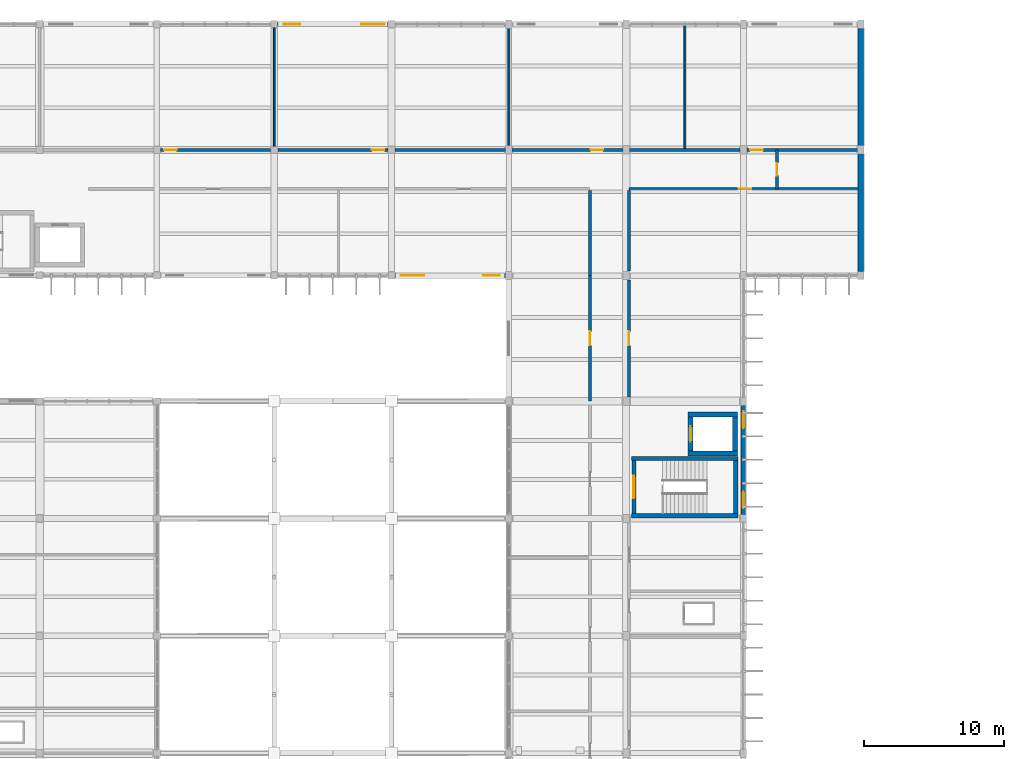
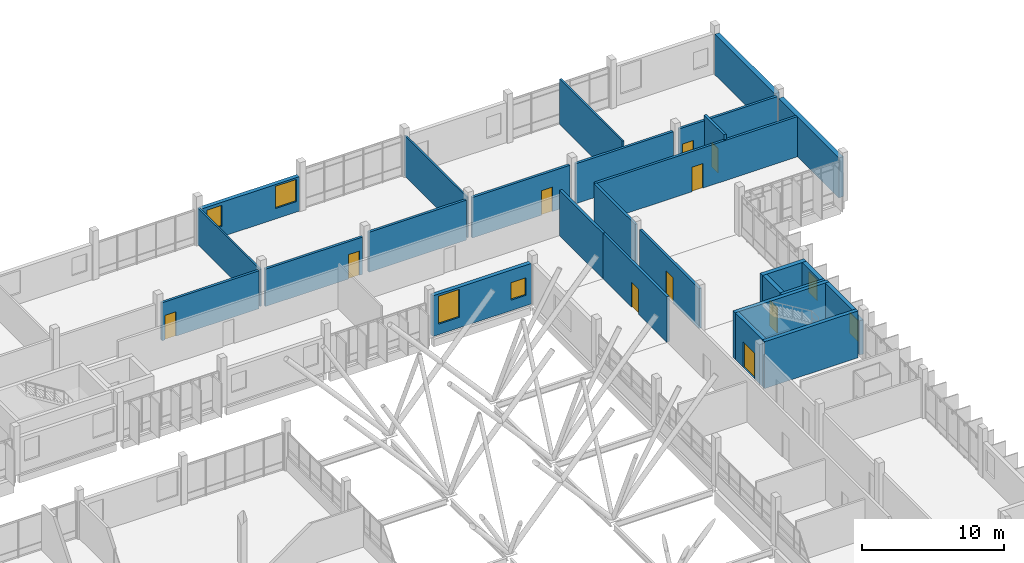
# One storey, part 96 of 107: 28 walls, 10 doors, 6 windows, 16 openings.
"""IFC4 building model written with IfcOpenShell, lengths in metres."""

import ifcopenshell
import ifcopenshell.guid

model = None  # the IFC model being written
_history = None  # IfcOwnerHistory: only IFC2X3 demands one
_inside = {}  # id of a spatial element -> (the spatial element, [elements in it])
_under = {}  # id of a project, library or spatial element -> (it, [spatial elements below it])
_declared = {}  # id of a project -> (the project, [libraries it declares])
_typed = {}  # id of a type object -> (the type object, [elements of that type])
_made_of = {}  # id of a material, layer set ... -> (it, [elements and type objects made of it])


def new_model(schema):
    """Start an empty IFC model of exactly this schema.

    Asked for "IFC4X3", IfcOpenShell would pick the latest addendum, in which some entities
    have other attributes; the version numbers below select the first issue.
    IFC2X3 requires an IfcOwnerHistory on every rooted entity: one is made here for all.
    """
    global model, _history
    if schema == "IFC4X3":
        model = ifcopenshell.file(schema_version=(4, 3, 0, 0))
    else:
        model = ifcopenshell.file(schema=schema)
    _inside.clear()
    _under.clear()
    _declared.clear()
    _typed.clear()
    _made_of.clear()
    _history = None
    if model.schema == "IFC2X3":
        org = make("IfcOrganization", Name="unknown")
        user = make(
            "IfcPersonAndOrganization",
            ThePerson=make("IfcPerson", FamilyName="unknown"),
            TheOrganization=org,
        )
        app = make(
            "IfcApplication",
            ApplicationDeveloper=org,
            Version="unknown",
            ApplicationFullName="unknown",
            ApplicationIdentifier="unknown",
        )
        _history = make(
            "IfcOwnerHistory",
            OwningUser=user,
            OwningApplication=app,
            ChangeAction="ADDED",
            CreationDate=0,
        )
    return model


def make(cls, **values):
    """One entity of the class cls with the attributes given. An attribute that is None is left unset."""
    return model.create_entity(
        cls, **{name: value for name, value in values.items() if value is not None}
    )


def rooted(cls, **values):
    """An entity with a GlobalId (a new one), such as an element, a storey or a relation."""
    return make(cls, GlobalId=ifcopenshell.guid.new(), OwnerHistory=_history, **values)


def si_unit(unit_type, name, prefix=None):
    """IfcSIUnit, for example si_unit("LENGTHUNIT", "METRE", prefix="MILLI")."""
    return make("IfcSIUnit", UnitType=unit_type, Prefix=prefix, Name=name)


def assignment(units):
    """IfcUnitAssignment: the units of a project."""
    return None if units is None else make("IfcUnitAssignment", Units=units)


def point(xyz):
    """IfcCartesianPoint."""
    return None if xyz is None else make("IfcCartesianPoint", Coordinates=xyz)


def direction(xyz):
    """IfcDirection."""
    return None if xyz is None else make("IfcDirection", DirectionRatios=xyz)


def frame(location, z_axis=None, x_axis=None):
    """IfcAxis2Placement3D, a coordinate frame: its origin and axes. An axis left out is left unset."""
    return make(
        "IfcAxis2Placement3D",
        Location=point(location),
        Axis=direction(z_axis),
        RefDirection=direction(x_axis),
    )


def frame_2d(location, x_axis=None):
    """IfcAxis2Placement2D, a coordinate frame in the plane: its origin and x axis."""
    return make(
        "IfcAxis2Placement2D", Location=point(location), RefDirection=direction(x_axis)
    )


def origin():
    """The frame at (0, 0, 0) with its axes left unset."""
    return frame((0.0, 0.0, 0.0))


def place(relative_to, where):
    """IfcLocalPlacement: puts the frame where relative to a parent placement (None: the world)."""
    return make(
        "IfcLocalPlacement", PlacementRelTo=relative_to, RelativePlacement=where
    )


def context(
    kind, dimensions, precision=None, world=None, true_north=None, identifier=None
):
    """IfcGeometricRepresentationContext, for example the 3D "Model" context."""
    return make(
        "IfcGeometricRepresentationContext",
        ContextIdentifier=identifier,
        ContextType=kind,
        CoordinateSpaceDimension=dimensions,
        Precision=precision,
        WorldCoordinateSystem=world,
        TrueNorth=true_north,
    )


def subcontext(parent, identifier, kind, view, scale=None):
    """IfcGeometricRepresentationSubContext, for example "Body" below "Model"."""
    return make(
        "IfcGeometricRepresentationSubContext",
        ContextIdentifier=identifier,
        ContextType=kind,
        ParentContext=parent,
        TargetScale=scale,
        TargetView=view,
    )


def project(units=None, contexts=None):
    """IfcProject with its units and contexts."""
    return rooted(
        "IfcProject",
        Name="project",
        RepresentationContexts=contexts,
        UnitsInContext=assignment(units),
    )


def spatial(cls, under=None, at=None, **own):
    """A site, building, storey or space (cls), placed at a placement, below another one or the project."""
    s = rooted(cls, ObjectPlacement=at, **own)
    if under is not None:
        _under.setdefault(under.id(), (under, []))[1].append(s)
    return s


def profile(cls, at=None, kind="AREA", **sizes):
    """A parametric profile (cls). Its sizes go by their IFC names, for example OverallWidth=200.0."""
    return make(cls, ProfileType=kind, Position=at, **sizes)


def rectangle(**sizes):
    """IfcRectangleProfileDef."""
    return profile("IfcRectangleProfileDef", **sizes)


def extrude(swept, where, along, depth):
    """IfcExtrudedAreaSolid: the profile swept, set in the frame where, extruded along a direction by depth."""
    return make(
        "IfcExtrudedAreaSolid",
        SweptArea=swept,
        Position=where,
        ExtrudedDirection=direction(along),
        Depth=depth,
    )


def shape(context_of_items, identifier, shape_type, items):
    """IfcShapeRepresentation: the items that make up one representation, for example the "Body"."""
    return make(
        "IfcShapeRepresentation",
        ContextOfItems=context_of_items,
        RepresentationIdentifier=identifier,
        RepresentationType=shape_type,
        Items=items,
    )


def material(Name=None, Category=None):
    """IfcMaterial."""
    return make("IfcMaterial", Name=Name, Category=Category)


def layer(
    of_material, thickness, ventilated=None, Name=None, Category=None, Priority=None
):
    """IfcMaterialLayer: one layer of a wall or slab, of a material (None: an air gap)."""
    return make(
        "IfcMaterialLayer",
        Material=of_material,
        LayerThickness=thickness,
        IsVentilated=ventilated,
        Name=Name,
        Category=Category,
        Priority=Priority,
    )


def layer_set(layers, Name=None):
    """IfcMaterialLayerSet."""
    return make("IfcMaterialLayerSet", MaterialLayers=layers, LayerSetName=Name)


def made_of(thing, what):
    """Note that an element or type object is made of a material, layer set ...; save() writes the relation."""
    if what is not None:
        _made_of.setdefault(what.id(), (what, []))[1].append(thing)
    return thing


def type_object(cls, material=None, **own):
    """A type object (cls), such as IfcWallType, which elements share."""
    return made_of(rooted(cls, **own), material)


def element(
    cls,
    number,
    at=None,
    inside=None,
    cuts=None,
    type_object=None,
    material=None,
    context=None,
    identifier="Body",
    shape_type=None,
    held_by="IfcProductDefinitionShape",
    body=None,
    shapes=None,
    **own,
):
    """One element of the class cls, such as IfcWall. Its Tag is "e" and its number.

    at: its placement. inside: the storey or other place that contains it. cuts: it is an
    opening in that element (IfcRelVoidsElement). A single representation is given by context,
    identifier, shape_type and body (its items); several are given by shapes. held_by: the class
    of the entity that holds the representations. save() writes the other relations.
    """
    e = rooted(cls, Tag="e%d" % number, ObjectPlacement=at, **own)
    if body is not None:
        shapes = [shape(context, identifier, shape_type, body)]
    if shapes is not None:
        e.Representation = make(held_by, Representations=shapes)
    if inside is not None:
        _inside.setdefault(inside.id(), (inside, []))[1].append(e)
    if cuts is not None:
        rooted(
            "IfcRelVoidsElement", RelatingBuildingElement=cuts, RelatedOpeningElement=e
        )
    if type_object is not None:
        _typed.setdefault(type_object.id(), (type_object, []))[1].append(e)
    return made_of(e, material)


def fill(opening, filler):
    """IfcRelFillsElement: the door or window that sits in an opening."""
    return rooted(
        "IfcRelFillsElement",
        RelatingOpeningElement=opening,
        RelatedBuildingElement=filler,
    )


def aggregate(whole, parts):
    """IfcRelAggregates: a whole, such as a stair, and the parts it consists of."""
    return rooted("IfcRelAggregates", RelatingObject=whole, RelatedObjects=parts)


def save(model, path):
    """Write the relations noted so far, then the file.

    IfcRelAggregates (storeys below a building ...), IfcRelContainedInSpatialStructure (elements
    in a storey), IfcRelDefinesByType, IfcRelAssociatesMaterial and IfcRelDeclares: one each for
    every whole, place, type object, material and project.
    """
    for whole, parts in _under.values():
        aggregate(whole, parts)
    for where, things in _inside.values():
        rooted(
            "IfcRelContainedInSpatialStructure",
            RelatedElements=things,
            RelatingStructure=where,
        )
    for kind, things in _typed.values():
        rooted("IfcRelDefinesByType", RelatedObjects=things, RelatingType=kind)
    for what, things in _made_of.values():
        rooted("IfcRelAssociatesMaterial", RelatedObjects=things, RelatingMaterial=what)
    for by, libraries in _declared.values():
        rooted("IfcRelDeclares", RelatingContext=by, RelatedDefinitions=libraries)
    model.write(path)


model = new_model("IFC4")

# Units and contexts
model_context = context("Model", 3, precision=1e-05, world=origin(), true_north=direction((0.0, 1.0)))
body_context = subcontext(model_context, "Body", "Model", "MODEL_VIEW")
ifc_project = project(units=[si_unit("LENGTHUNIT", "METRE"), si_unit("AREAUNIT", "SQUARE_METRE"), si_unit("VOLUMEUNIT", "CUBIC_METRE"), si_unit("PLANEANGLEUNIT", "RADIAN"), si_unit("MASSUNIT", "GRAM", prefix="KILO")], contexts=[model_context])

# Site, building, storey
site_placement = place(None, origin())
site = spatial("IfcSite", under=ifc_project, at=site_placement, CompositionType="ELEMENT")
building_placement = place(site_placement, origin())
building = spatial("IfcBuilding", under=site, at=building_placement, Name="Vireocrest Preparatory School", CompositionType="ELEMENT")
storey_placement = place(building_placement, frame((0.0, 0.0, 13.199951171875)))
storey = spatial("IfcBuildingStorey", under=building, at=storey_placement, Name="L03", CompositionType="ELEMENT", Elevation=13.199951171875)

# Walls
ifc_material_1 = material(Name="Gypsum board on cold-formed steel studs", Category="steel")
ifc_layer_1 = layer(ifc_material_1, 0.139892578125)
ifc_layer_set_1 = layer_set([ifc_layer_1], Name="Gypsum board on cold-formed steel studs")
wall_type_1 = type_object("IfcWallType", Name="Classroom Acoustic Partition Wall 140", PredefinedType="PARTITIONING", material=ifc_layer_set_1)
wall_1_placement = place(storey_placement, frame((75.60009765625, 103.905029296875, 0.0), z_axis=(0.0, 0.0, 1.0), x_axis=(0.0, 1.0, 0.0)))
element("IfcWall", 1, at=wall_1_placement, inside=storey, type_object=wall_type_1, Name="Interior Partition W03 IW_L03_0259", PredefinedType="PARTITIONING", context=body_context, shape_type="SweptSolid", body=[
    extrude(rectangle(XDim=8.7900390625, YDim=0.139892578125, at=frame_2d((4.39501953125, 0.0))), origin(), (0.0, 0.0, 1.0), 3.16015625),
])
wall_2_placement = place(storey_placement, frame((92.39990234375, 103.905029296875, 0.0), z_axis=(0.0, 0.0, 1.0), x_axis=(0.0, 1.0, 0.0)))
element("IfcWall", 2, at=wall_2_placement, inside=storey, type_object=wall_type_1, Name="Interior Partition W03 IW_L03_0260", PredefinedType="PARTITIONING", context=body_context, shape_type="SweptSolid", body=[
    extrude(rectangle(XDim=8.7900390625, YDim=0.139892578125, at=frame_2d((4.39501953125, 0.0))), origin(), (0.0, 0.0, 1.0), 3.47998046875),
])
wall_3_placement = place(storey_placement, frame((105.0, 103.905029296875, 0.0), z_axis=(0.0, 0.0, 1.0), x_axis=(0.0, 1.0, 0.0)))
element("IfcWall", 3, at=wall_3_placement, inside=storey, type_object=wall_type_1, Name="Interior Partition W03 IW_L03_0261", PredefinedType="PARTITIONING", context=body_context, shape_type="SweptSolid", body=[
    extrude(rectangle(XDim=8.7900390625, YDim=0.139892578125, at=frame_2d((4.39501953125, 0.0))), origin(), (0.0, 0.0, 1.0), 3.900146484375),
])

# Wall, opening, door
ifc_layer_2 = layer(ifc_material_1, 0.199951171875)
ifc_layer_set_2 = layer_set([ifc_layer_2], Name="Gypsum board on cold-formed steel studs")
wall_type_2 = type_object("IfcWallType", Name="Corridor One-Hour Fire Partition 200", PredefinedType="PARTITIONING", material=ifc_layer_set_2)
wall_4_placement = place(storey_placement, frame((111.60009765625, 101.010009765625, 0.0), z_axis=(0.0, 0.0, 1.0), x_axis=(0.0, 1.0, 0.0)))
wall_4 = element("IfcWall", 4, at=wall_4_placement, inside=storey, type_object=wall_type_2, Name="Interior Partition W06 IW_L03_0257", PredefinedType="PARTITIONING", context=body_context, shape_type="SweptSolid", body=[
    extrude(rectangle(XDim=2.780029296875, YDim=0.199951171875, at=frame_2d((1.39013671875, 0.0))), origin(), (0.0, 0.0, 1.0), 3.900146484375),
])
opening_1_placement = place(wall_4_placement, frame((0.93994140625, 0.0, 0.0)))
opening_1 = element("IfcOpeningElement", 5, at=opening_1_placement, cuts=wall_4, Name="Opening D-L03-NCEND", PredefinedType="OPENING", context=body_context, shape_type="SweptSolid", body=[
    extrude(rectangle(XDim=0.89990234375, YDim=2.10009765625, at=frame_2d((0.449951171875, 1.050048828125))), frame((0.0, 0.10986328125, 0.0), z_axis=(0.0, -1.0, 0.0), x_axis=(1.0, 0.0, 0.0)), (0.0, 0.0, 1.0), 0.219970703125),
])
ifc_material_2 = material(Name="Solid-core architectural birch timber", Category="wood")
door_type_1 = type_object("IfcDoorType", Name="Office Timber Door 900x2100", OperationType="NOTDEFINED", PredefinedType="DOOR", material=ifc_material_2)
door_1_placement = place(opening_1_placement, origin())
door_1 = element("IfcDoor", 6, at=door_1_placement, inside=storey, type_object=door_type_1, Name="Interior Door D-L03-NCEND", OperationType="SINGLE_SWING_LEFT", OverallHeight=2.10009765625, OverallWidth=0.89990234375, PredefinedType="DOOR", context=body_context, shape_type="SweptSolid", body=[
    extrude(rectangle(XDim=0.89990234375, YDim=2.10009765625, at=frame_2d((0.449951171875, 1.050048828125))), frame((0.0, 0.02490234375, 0.0), z_axis=(0.0, -1.0, 0.0), x_axis=(1.0, 0.0, 0.0)), (0.0, 0.0, 1.0), 0.050048828125),
])
fill(opening_1, door_1)

wall_5_placement = place(storey_placement, frame((67.4599609375, 103.800048828125, 0.0), z_axis=(0.0, 0.0, 1.0), x_axis=(1.0, 0.0, 0.0)))
wall_5 = element("IfcWall", 7, at=wall_5_placement, inside=storey, type_object=wall_type_2, Name="Interior Partition W06 IW_L03_0265", PredefinedType="PARTITIONING", context=body_context, shape_type="SweptSolid", body=[
    extrude(rectangle(XDim=7.880126953125, YDim=0.199951171875, at=frame_2d((3.93994140625, 0.0))), origin(), (0.0, 0.0, 1.0), 3.260009765625),
])
opening_2_placement = place(wall_5_placement, frame((0.25, 0.0, 0.0)))
opening_2 = element("IfcOpeningElement", 8, at=opening_2_placement, cuts=wall_5, Name="Opening D-L03-N3N02", PredefinedType="OPENING", context=body_context, shape_type="SweptSolid", body=[
    extrude(rectangle(XDim=0.89990234375, YDim=2.10009765625, at=frame_2d((0.449951171875, 1.050048828125))), frame((0.0, 0.10986328125, 0.0), z_axis=(0.0, -1.0, 0.0), x_axis=(1.0, 0.0, 0.0)), (0.0, 0.0, 1.0), 0.219970703125),
])
door_2_placement = place(opening_2_placement, origin())
door_2 = element("IfcDoor", 9, at=door_2_placement, inside=storey, type_object=door_type_1, Name="Interior Door D-L03-N3N02", OperationType="SINGLE_SWING_LEFT", OverallHeight=2.10009765625, OverallWidth=0.89990234375, PredefinedType="DOOR", context=body_context, shape_type="SweptSolid", body=[
    extrude(rectangle(XDim=0.89990234375, YDim=2.10009765625, at=frame_2d((0.449951171875, 1.050048828125))), frame((0.0, 0.02490234375, 0.0), z_axis=(0.0, -1.0, 0.0), x_axis=(1.0, 0.0, 0.0)), (0.0, 0.0, 1.0), 0.050048828125),
])
fill(opening_2, door_2)

wall_6_placement = place(storey_placement, frame((75.860107421875, 103.800048828125, 0.0), z_axis=(0.0, 0.0, 1.0), x_axis=(1.0, 0.0, 0.0)))
wall_6 = element("IfcWall", 10, at=wall_6_placement, inside=storey, type_object=wall_type_2, Name="Interior Partition W06 IW_L03_0266", PredefinedType="PARTITIONING", context=body_context, shape_type="SweptSolid", body=[
    extrude(rectangle(XDim=7.8798828125, YDim=0.199951171875, at=frame_2d((3.93994140625, 0.0))), origin(), (0.0, 0.0, 1.0), 3.2099609375),
])
opening_3_placement = place(wall_6_placement, frame((6.72998046875, 0.0, 0.0)))
opening_3 = element("IfcOpeningElement", 11, at=opening_3_placement, cuts=wall_6, Name="Opening D-L03-N3N03", PredefinedType="OPENING", context=body_context, shape_type="SweptSolid", body=[
    extrude(rectangle(XDim=0.89990234375, YDim=2.10009765625, at=frame_2d((0.449951171875, 1.050048828125))), frame((0.0, 0.10986328125, 0.0), z_axis=(0.0, -1.0, 0.0), x_axis=(1.0, 0.0, 0.0)), (0.0, 0.0, 1.0), 0.219970703125),
])
door_3_placement = place(opening_3_placement, origin())
door_3 = element("IfcDoor", 12, at=door_3_placement, inside=storey, type_object=door_type_1, Name="Interior Door D-L03-N3N03", OperationType="SINGLE_SWING_RIGHT", OverallHeight=2.10009765625, OverallWidth=0.89990234375, PredefinedType="DOOR", context=body_context, shape_type="SweptSolid", body=[
    extrude(rectangle(XDim=0.89990234375, YDim=2.10009765625, at=frame_2d((0.449951171875, 1.050048828125))), frame((0.0, 0.02490234375, 0.0), z_axis=(0.0, -1.0, 0.0), x_axis=(1.0, 0.0, 0.0)), (0.0, 0.0, 1.0), 0.050048828125),
])
fill(opening_3, door_3)

# Wall
wall_7_placement = place(storey_placement, frame((84.260009765625, 103.800048828125, 0.0), z_axis=(0.0, 0.0, 1.0), x_axis=(1.0, 0.0, 0.0)))
element("IfcWall", 13, at=wall_7_placement, inside=storey, type_object=wall_type_2, Name="Interior Partition W06 IW_L03_0267", PredefinedType="PARTITIONING", context=body_context, shape_type="SweptSolid", body=[
    extrude(rectangle(XDim=7.905029296875, YDim=0.199951171875, at=frame_2d((3.95263671875, 0.0))), origin(), (0.0, 0.0, 1.0), 3.429931640625),
])

# Wall, opening, door
wall_8_placement = place(storey_placement, frame((92.635009765625, 103.800048828125, 0.0), z_axis=(0.0, 0.0, 1.0), x_axis=(1.0, 0.0, 0.0)))
wall_8 = element("IfcWall", 14, at=wall_8_placement, inside=storey, type_object=wall_type_2, Name="Interior Partition W06 IW_L03_0268", PredefinedType="PARTITIONING", context=body_context, shape_type="SweptSolid", body=[
    extrude(rectangle(XDim=7.929931640625, YDim=0.199951171875, at=frame_2d((3.96484375, 0.0))), origin(), (0.0, 0.0, 1.0), 3.47998046875),
])
opening_4_placement = place(wall_8_placement, frame((5.614990234375, 0.0, 0.0)))
opening_4 = element("IfcOpeningElement", 15, at=opening_4_placement, cuts=wall_8, Name="Opening D-L03-N3N04", PredefinedType="OPENING", context=body_context, shape_type="SweptSolid", body=[
    extrude(rectangle(XDim=0.89990234375, YDim=2.10009765625, at=frame_2d((0.449951171875, 1.050048828125))), frame((0.0, 0.10986328125, 0.0), z_axis=(0.0, -1.0, 0.0), x_axis=(1.0, 0.0, 0.0)), (0.0, 0.0, 1.0), 0.219970703125),
])
door_4_placement = place(opening_4_placement, origin())
door_4 = element("IfcDoor", 16, at=door_4_placement, inside=storey, type_object=door_type_1, Name="Interior Door D-L03-N3N04", OperationType="SINGLE_SWING_LEFT", OverallHeight=2.10009765625, OverallWidth=0.89990234375, PredefinedType="DOOR", context=body_context, shape_type="SweptSolid", body=[
    extrude(rectangle(XDim=0.89990234375, YDim=2.10009765625, at=frame_2d((0.449951171875, 1.050048828125))), frame((0.0, 0.02490234375, 0.0), z_axis=(0.0, -1.0, 0.0), x_axis=(1.0, 0.0, 0.0)), (0.0, 0.0, 1.0), 0.050048828125),
])
fill(opening_4, door_4)

# Wall
wall_9_placement = place(storey_placement, frame((101.034912109375, 103.800048828125, 0.0), z_axis=(0.0, 0.0, 1.0), x_axis=(1.0, 0.0, 0.0)))
element("IfcWall", 17, at=wall_9_placement, inside=storey, type_object=wall_type_2, Name="Interior Partition W06 IW_L03_0269", PredefinedType="PARTITIONING", context=body_context, shape_type="SweptSolid", body=[
    extrude(rectangle(XDim=7.93017578125, YDim=0.199951171875, at=frame_2d((3.965087890625, 0.0))), origin(), (0.0, 0.0, 1.0), 3.429931640625),
])

# Wall, opening, door
wall_10_placement = place(storey_placement, frame((109.43505859375, 103.800048828125, 0.0), z_axis=(0.0, 0.0, 1.0), x_axis=(1.0, 0.0, 0.0)))
wall_10 = element("IfcWall", 18, at=wall_10_placement, inside=storey, type_object=wall_type_2, Name="Interior Partition W06 IW_L03_0270", PredefinedType="PARTITIONING", context=body_context, shape_type="SweptSolid", body=[
    extrude(rectangle(XDim=7.969970703125, YDim=0.199951171875, at=frame_2d((3.98486328125, 0.0))), origin(), (0.0, 0.0, 1.0), 3.47998046875),
])
opening_5_placement = place(wall_10_placement, frame((0.25, 0.0, 0.0)))
opening_5 = element("IfcOpeningElement", 19, at=opening_5_placement, cuts=wall_10, Name="Opening D-L03-N3N05", PredefinedType="OPENING", context=body_context, shape_type="SweptSolid", body=[
    extrude(rectangle(XDim=0.89990234375, YDim=2.10009765625, at=frame_2d((0.449951171875, 1.050048828125))), frame((0.0, 0.10986328125, 0.0), z_axis=(0.0, -1.0, 0.0), x_axis=(1.0, 0.0, 0.0)), (0.0, 0.0, 1.0), 0.219970703125),
])
door_5_placement = place(opening_5_placement, origin())
door_5 = element("IfcDoor", 20, at=door_5_placement, inside=storey, type_object=door_type_1, Name="Interior Door D-L03-N3N05", OperationType="SINGLE_SWING_RIGHT", OverallHeight=2.10009765625, OverallWidth=0.89990234375, PredefinedType="DOOR", context=body_context, shape_type="SweptSolid", body=[
    extrude(rectangle(XDim=0.89990234375, YDim=2.10009765625, at=frame_2d((0.449951171875, 1.050048828125))), frame((0.0, 0.02490234375, 0.0), z_axis=(0.0, -1.0, 0.0), x_axis=(1.0, 0.0, 0.0)), (0.0, 0.0, 1.0), 0.050048828125),
])
fill(opening_5, door_5)

# Wall
wall_11_placement = place(storey_placement, frame((98.199951171875, 94.81005859375, 0.0), z_axis=(0.0, 0.0, 1.0), x_axis=(0.0, 1.0, 0.0)))
element("IfcWall", 21, at=wall_11_placement, inside=storey, type_object=wall_type_2, Name="Interior Partition W06 IW_L03_0273", PredefinedType="PARTITIONING", context=body_context, shape_type="SweptSolid", body=[
    extrude(rectangle(XDim=6.0849609375, YDim=0.199951171875, at=frame_2d((3.04248046875, 0.0))), origin(), (0.0, 0.0, 1.0), 3.900146484375),
])

# Wall, opening, door
wall_12_placement = place(storey_placement, frame((101.010009765625, 101.0, 0.0), z_axis=(0.0, 0.0, 1.0), x_axis=(1.0, 0.0, 0.0)))
wall_12 = element("IfcWall", 22, at=wall_12_placement, inside=storey, type_object=wall_type_2, Name="Interior Partition W06 IW_L03_0274", PredefinedType="PARTITIONING", context=body_context, shape_type="SweptSolid", body=[
    extrude(rectangle(XDim=16.39501953125, YDim=0.199951171875, at=frame_2d((8.197509765625, 0.0))), origin(), (0.0, 0.0, 1.0), 3.450927734375),
])
opening_6_placement = place(wall_12_placement, frame((7.840087890625, 0.0, 0.0)))
opening_6 = element("IfcOpeningElement", 23, at=opening_6_placement, cuts=wall_12, Name="Opening D-L03-N3S01", PredefinedType="OPENING", context=body_context, shape_type="SweptSolid", body=[
    extrude(rectangle(XDim=0.89990234375, YDim=2.10009765625, at=frame_2d((0.449951171875, 1.050048828125))), frame((0.0, 0.10986328125, 0.0), z_axis=(0.0, -1.0, 0.0), x_axis=(1.0, 0.0, 0.0)), (0.0, 0.0, 1.0), 0.219970703125),
])
door_6_placement = place(opening_6_placement, origin())
door_6 = element("IfcDoor", 24, at=door_6_placement, inside=storey, type_object=door_type_1, Name="Interior Door D-L03-N3S01", OperationType="SINGLE_SWING_LEFT", OverallHeight=2.10009765625, OverallWidth=0.89990234375, PredefinedType="DOOR", context=body_context, shape_type="SweptSolid", body=[
    extrude(rectangle(XDim=0.89990234375, YDim=2.10009765625, at=frame_2d((0.449951171875, 1.050048828125))), frame((0.0, 0.02490234375, 0.0), z_axis=(0.0, -1.0, 0.0), x_axis=(1.0, 0.0, 0.0)), (0.0, 0.0, 1.0), 0.050048828125),
])
fill(opening_6, door_6)

# Wall
wall_13_placement = place(storey_placement, frame((101.0, 95.110107421875, 0.0), z_axis=(0.0, 0.0, 1.0), x_axis=(0.0, 1.0, 0.0)))
element("IfcWall", 25, at=wall_13_placement, inside=storey, type_object=wall_type_2, Name="Interior Partition W06 IW_L03_0275", PredefinedType="PARTITIONING", context=body_context, shape_type="SweptSolid", body=[
    extrude(rectangle(XDim=5.784912109375, YDim=0.199951171875, at=frame_2d((2.892578125, 0.0))), origin(), (0.0, 0.0, 1.0), 3.47998046875),
])

# Wall, opening, door
wall_14_placement = place(storey_placement, frame((98.199951171875, 85.81005859375, 0.0), z_axis=(0.0, 0.0, 1.0), x_axis=(0.0, 1.0, 0.0)))
wall_14 = element("IfcWall", 26, at=wall_14_placement, inside=storey, type_object=wall_type_2, Name="Interior Partition W06 IW_L03_0276", PredefinedType="PARTITIONING", context=body_context, shape_type="SweptSolid", body=[
    extrude(rectangle(XDim=8.97998046875, YDim=0.199951171875, at=frame_2d((4.489990234375, 0.0))), origin(), (0.0, 0.0, 1.0), 3.900146484375),
])
opening_7_placement = place(wall_14_placement, frame((3.989990234375, 0.0, 0.0)))
opening_7 = element("IfcOpeningElement", 27, at=opening_7_placement, cuts=wall_14, Name="Opening D-L03-E3NLW01", PredefinedType="OPENING", context=body_context, shape_type="SweptSolid", body=[
    extrude(rectangle(XDim=1.0, YDim=2.14990234375, at=frame_2d((0.5, 1.074951171875))), frame((0.0, 0.10986328125, 0.0), z_axis=(0.0, -1.0, 0.0), x_axis=(1.0, 0.0, 0.0)), (0.0, 0.0, 1.0), 0.219970703125),
])
door_type_2 = type_object("IfcDoorType", Name="Classroom Acoustic Timber Door 1000x2150", OperationType="NOTDEFINED", PredefinedType="DOOR", material=ifc_material_2)
door_7_placement = place(opening_7_placement, origin())
door_7 = element("IfcDoor", 28, at=door_7_placement, inside=storey, type_object=door_type_2, Name="Interior Door D-L03-E3NLW01", OperationType="SINGLE_SWING_RIGHT", OverallHeight=2.14990234375, OverallWidth=1.0, PredefinedType="DOOR", context=body_context, shape_type="SweptSolid", body=[
    extrude(rectangle(XDim=1.0, YDim=2.14990234375, at=frame_2d((0.5, 1.074951171875))), frame((0.0, 0.02490234375, 0.0), z_axis=(0.0, -1.0, 0.0), x_axis=(1.0, 0.0, 0.0)), (0.0, 0.0, 1.0), 0.050048828125),
])
fill(opening_7, door_7)

wall_15_placement = place(storey_placement, frame((101.0, 86.110107421875, 0.0), z_axis=(0.0, 0.0, 1.0), x_axis=(0.0, 1.0, 0.0)))
wall_15 = element("IfcWall", 29, at=wall_15_placement, inside=storey, type_object=wall_type_2, Name="Interior Partition W06 IW_L03_0277", PredefinedType="PARTITIONING", context=body_context, shape_type="SweptSolid", body=[
    extrude(rectangle(XDim=8.3798828125, YDim=0.199951171875, at=frame_2d((4.18994140625, 0.0))), origin(), (0.0, 0.0, 1.0), 3.429931640625),
])
opening_8_placement = place(wall_15_placement, frame((3.68994140625, 0.0, 0.0)))
opening_8 = element("IfcOpeningElement", 30, at=opening_8_placement, cuts=wall_15, Name="Opening D-L03-E3NLE01", PredefinedType="OPENING", context=body_context, shape_type="SweptSolid", body=[
    extrude(rectangle(XDim=1.0, YDim=2.14990234375, at=frame_2d((0.5, 1.074951171875))), frame((0.0, 0.10986328125, 0.0), z_axis=(0.0, -1.0, 0.0), x_axis=(1.0, 0.0, 0.0)), (0.0, 0.0, 1.0), 0.219970703125),
])
door_8_placement = place(opening_8_placement, origin())
door_8 = element("IfcDoor", 31, at=door_8_placement, inside=storey, type_object=door_type_2, Name="Interior Door D-L03-E3NLE01", OperationType="SINGLE_SWING_LEFT", OverallHeight=2.14990234375, OverallWidth=1.0, PredefinedType="DOOR", context=body_context, shape_type="SweptSolid", body=[
    extrude(rectangle(XDim=1.0, YDim=2.14990234375, at=frame_2d((0.5, 1.074951171875))), frame((0.0, 0.02490234375, 0.0), z_axis=(0.0, -1.0, 0.0), x_axis=(1.0, 0.0, 0.0)), (0.0, 0.0, 1.0), 0.050048828125),
])
fill(opening_8, door_8)

# Wall, openings, windows
ifc_material_3 = material(Name="Precast white concrete 40 MPa", Category="concrete")
ifc_layer_3 = layer(ifc_material_3, 0.320068359375)
ifc_layer_set_3 = layer_set([ifc_layer_3], Name="Precast white concrete 40 MPa")
wall_type_3 = type_object("IfcWallType", Name="High-Tech Insulated Rainscreen External Wall 320", PredefinedType="SOLIDWALL", material=ifc_layer_set_3)
wall_16_placement = place(storey_placement, frame((75.824951171875, 112.800048828125, 0.0), z_axis=(0.0, 0.0, 1.0), x_axis=(1.0, 0.0, 0.0)))
wall_16 = element("IfcWall", 32, at=wall_16_placement, inside=storey, type_object=wall_type_3, Name="External Wall W12 EW_L03_0327", PredefinedType="SOLIDWALL", context=body_context, shape_type="SweptSolid", body=[
    extrude(rectangle(XDim=7.949951171875, YDim=0.320068359375, at=frame_2d((3.97509765625, 0.0))), origin(), (0.0, 0.0, 1.0), 2.9599609375),
])
opening_9_placement = place(wall_16_placement, frame((0.449951171875, 0.0, 0.89990234375)))
opening_9 = element("IfcOpeningElement", 33, at=opening_9_placement, cuts=wall_16, Name="Opening WN02", PredefinedType="OPENING", context=body_context, shape_type="SweptSolid", body=[
    extrude(rectangle(XDim=1.199951171875, YDim=1.800048828125, at=frame_2d((0.60009765625, 0.89990234375))), frame((0.0, 0.169921875, 0.0), z_axis=(0.0, -1.0, 0.0), x_axis=(1.0, 0.0, 0.0)), (0.0, 0.0, 1.0), 0.340087890625),
])
opening_10_placement = place(wall_16_placement, frame((6.02001953125, 0.0, 0.89990234375)))
opening_10 = element("IfcOpeningElement", 34, at=opening_10_placement, cuts=wall_16, Name="Opening WN07", PredefinedType="OPENING", context=body_context, shape_type="SweptSolid", body=[
    extrude(rectangle(XDim=1.679931640625, YDim=1.909912109375, at=frame_2d((0.83984375, 0.955078125))), frame((0.0, 0.169921875, 0.0), z_axis=(0.0, -1.0, 0.0), x_axis=(1.0, 0.0, 0.0)), (0.0, 0.0, 1.0), 0.340087890625),
])
ifc_material_4 = material(Name="Thermally broken aluminium EN AW-6063-T6", Category="aluminium")
window_type_1 = type_object("IfcWindowType", Name="Counseling Window 1200x1800", PartitioningType="SINGLE_PANEL", PredefinedType="WINDOW", material=ifc_material_4)
window_1_placement = place(opening_9_placement, origin())
window_1 = element("IfcWindow", 35, at=window_1_placement, inside=storey, type_object=window_type_1, Name="Window W-L03-160 (WN02)", OverallHeight=1.800048828125, OverallWidth=1.199951171875, PartitioningType="SINGLE_PANEL", PredefinedType="WINDOW", context=body_context, shape_type="SweptSolid", body=[
    extrude(rectangle(XDim=1.199951171875, YDim=1.800048828125, at=frame_2d((0.60009765625, 0.89990234375))), frame((0.0, 0.030029296875, 0.0), z_axis=(0.0, -1.0, 0.0), x_axis=(1.0, 0.0, 0.0)), (0.0, 0.0, 1.0), 0.06005859375),
])
fill(opening_9, window_1)
window_type_2 = type_object("IfcWindowType", Name="Module Lab Window 1680x2400", PartitioningType="SINGLE_PANEL", PredefinedType="WINDOW", material=ifc_material_4)
window_2_placement = place(opening_10_placement, origin())
window_2 = element("IfcWindow", 36, at=window_2_placement, inside=storey, type_object=window_type_2, Name="Window W-L03-161 (WN07)", OverallHeight=1.909912109375, OverallWidth=1.679931640625, PartitioningType="SINGLE_PANEL", PredefinedType="WINDOW", context=body_context, shape_type="SweptSolid", body=[
    extrude(rectangle(XDim=1.679931640625, YDim=1.909912109375, at=frame_2d((0.83984375, 0.955078125))), frame((0.0, 0.030029296875, 0.0), z_axis=(0.0, -1.0, 0.0), x_axis=(1.0, 0.0, 0.0)), (0.0, 0.0, 1.0), 0.06005859375),
])
fill(opening_10, window_2)

wall_17_placement = place(storey_placement, frame((84.22509765625, 94.800048828125, 0.0), z_axis=(0.0, 0.0, 1.0), x_axis=(1.0, 0.0, 0.0)))
wall_17 = element("IfcWall", 37, at=wall_17_placement, inside=storey, type_object=wall_type_3, Name="External Wall W12 EW_L03_0339", PredefinedType="SOLIDWALL", context=body_context, shape_type="SweptSolid", body=[
    extrude(rectangle(XDim=7.974853515625, YDim=0.320068359375, at=frame_2d((3.9873046875, 0.0))), origin(), (0.0, 0.0, 1.0), 3.47998046875),
])
opening_11_placement = place(wall_17_placement, frame((0.449951171875, 0.0, 0.89990234375)))
opening_11 = element("IfcOpeningElement", 38, at=opening_11_placement, cuts=wall_17, Name="Opening WN07", PredefinedType="OPENING", context=body_context, shape_type="SweptSolid", body=[
    extrude(rectangle(XDim=1.679931640625, YDim=2.39990234375, at=frame_2d((0.83984375, 1.199951171875))), frame((0.0, 0.169921875, 0.0), z_axis=(0.0, -1.0, 0.0), x_axis=(1.0, 0.0, 0.0)), (0.0, 0.0, 1.0), 0.340087890625),
])
opening_12_placement = place(wall_17_placement, frame((6.324951171875, 0.0, 0.89990234375)))
opening_12 = element("IfcOpeningElement", 39, at=opening_12_placement, cuts=wall_17, Name="Opening WN01", PredefinedType="OPENING", context=body_context, shape_type="SweptSolid", body=[
    extrude(rectangle(XDim=1.199951171875, YDim=1.5, at=frame_2d((0.60009765625, 0.75))), frame((0.0, 0.169921875, 0.0), z_axis=(0.0, -1.0, 0.0), x_axis=(1.0, 0.0, 0.0)), (0.0, 0.0, 1.0), 0.340087890625),
])
window_3_placement = place(opening_11_placement, origin())
window_3 = element("IfcWindow", 40, at=window_3_placement, inside=storey, type_object=window_type_2, Name="Window W-L03-170 (WN07)", OverallHeight=2.39990234375, OverallWidth=1.679931640625, PartitioningType="SINGLE_PANEL", PredefinedType="WINDOW", context=body_context, shape_type="SweptSolid", body=[
    extrude(rectangle(XDim=1.679931640625, YDim=2.39990234375, at=frame_2d((0.83984375, 1.199951171875))), frame((0.0, 0.030029296875, 0.0), z_axis=(0.0, -1.0, 0.0), x_axis=(1.0, 0.0, 0.0)), (0.0, 0.0, 1.0), 0.06005859375),
])
fill(opening_11, window_3)
window_type_3 = type_object("IfcWindowType", Name="Office Punched Window 1200x1500", PartitioningType="SINGLE_PANEL", PredefinedType="WINDOW", material=ifc_material_4)
window_4_placement = place(opening_12_placement, origin())
window_4 = element("IfcWindow", 41, at=window_4_placement, inside=storey, type_object=window_type_3, Name="Window W-L03-171 (WN01)", OverallHeight=1.5, OverallWidth=1.199951171875, PartitioningType="SINGLE_PANEL", PredefinedType="WINDOW", context=body_context, shape_type="SweptSolid", body=[
    extrude(rectangle(XDim=1.199951171875, YDim=1.5, at=frame_2d((0.60009765625, 0.75))), frame((0.0, 0.030029296875, 0.0), z_axis=(0.0, -1.0, 0.0), x_axis=(1.0, 0.0, 0.0)), (0.0, 0.0, 1.0), 0.06005859375),
])
fill(opening_12, window_4)

wall_18_placement = place(storey_placement, frame((109.199951171875, 77.675048828125, 0.0), z_axis=(0.0, 0.0, 1.0), x_axis=(0.0, 1.0, 0.0)))
wall_18 = element("IfcWall", 42, at=wall_18_placement, inside=storey, type_object=wall_type_3, Name="External Wall W12 EW_L03_0354", PredefinedType="SOLIDWALL", context=body_context, shape_type="SweptSolid", body=[
    extrude(rectangle(XDim=7.849853515625, YDim=0.320068359375, at=frame_2d((3.9248046875, 0.0))), origin(), (0.0, 0.0, 1.0), 2.93994140625),
])
opening_13_placement = place(wall_18_placement, frame((0.449951171875, 0.0, 0.85009765625)))
opening_13 = element("IfcOpeningElement", 43, at=opening_13_placement, cuts=wall_18, Name="Opening WN02", PredefinedType="OPENING", context=body_context, shape_type="SweptSolid", body=[
    extrude(rectangle(XDim=1.199951171875, YDim=1.800048828125, at=frame_2d((0.60009765625, 0.89990234375))), frame((0.0, 0.169921875, 0.0), z_axis=(0.0, -1.0, 0.0), x_axis=(1.0, 0.0, 0.0)), (0.0, 0.0, 1.0), 0.340087890625),
])
opening_14_placement = place(wall_18_placement, frame((6.199951171875, 0.0, 0.85009765625)))
opening_14 = element("IfcOpeningElement", 44, at=opening_14_placement, cuts=wall_18, Name="Opening WN02", PredefinedType="OPENING", context=body_context, shape_type="SweptSolid", body=[
    extrude(rectangle(XDim=1.199951171875, YDim=1.800048828125, at=frame_2d((0.60009765625, 0.89990234375))), frame((0.0, 0.169921875, 0.0), z_axis=(0.0, -1.0, 0.0), x_axis=(1.0, 0.0, 0.0)), (0.0, 0.0, 1.0), 0.340087890625),
])
window_5_placement = place(opening_13_placement, origin())
window_5 = element("IfcWindow", 45, at=window_5_placement, inside=storey, type_object=window_type_1, Name="Window W-L03-176 (WN02)", OverallHeight=1.800048828125, OverallWidth=1.199951171875, PartitioningType="SINGLE_PANEL", PredefinedType="WINDOW", context=body_context, shape_type="SweptSolid", body=[
    extrude(rectangle(XDim=1.199951171875, YDim=1.800048828125, at=frame_2d((0.60009765625, 0.89990234375))), frame((0.0, 0.030029296875, 0.0), z_axis=(0.0, -1.0, 0.0), x_axis=(1.0, 0.0, 0.0)), (0.0, 0.0, 1.0), 0.06005859375),
])
fill(opening_13, window_5)
window_6_placement = place(opening_14_placement, origin())
window_6 = element("IfcWindow", 46, at=window_6_placement, inside=storey, type_object=window_type_1, Name="Window W-L03-177 (WN02)", OverallHeight=1.800048828125, OverallWidth=1.199951171875, PartitioningType="SINGLE_PANEL", PredefinedType="WINDOW", context=body_context, shape_type="SweptSolid", body=[
    extrude(rectangle(XDim=1.199951171875, YDim=1.800048828125, at=frame_2d((0.60009765625, 0.89990234375))), frame((0.0, 0.030029296875, 0.0), z_axis=(0.0, -1.0, 0.0), x_axis=(1.0, 0.0, 0.0)), (0.0, 0.0, 1.0), 0.06005859375),
])
fill(opening_14, window_6)

# Walls
ifc_material_5 = material(Name="Concrete 45 MPa", Category="concrete")
ifc_layer_4 = layer(ifc_material_5, 0.35009765625)
ifc_layer_set_4 = layer_set([ifc_layer_4], Name="Concrete 45 MPa")
wall_type_4 = type_object("IfcWallType", Name="Two-Hour RC Lift Core Shear Wall 350", PredefinedType="SHEAR", material=ifc_layer_set_4)
for number, where, z_axis, x_axis, name in (
    (47, (105.22509765625, 82.050048828125, 0.0), (0.0, 0.0, 1.0), (1.0, 0.0, 0.0), "Lift Core Shear Wall LF4 L03-S"),
    (48, (105.22509765625, 84.85009765625, 0.0), (0.0, 0.0, 1.0), (1.0, 0.0, 0.0), "Lift Core Shear Wall LF4 L03-N"),
):
    element("IfcWall", number, at=place(storey_placement, frame(where, z_axis=z_axis, x_axis=x_axis)), inside=storey, type_object=wall_type_4, Name=name, PredefinedType="SHEAR", context=body_context, shape_type="SweptSolid", body=[
        extrude(rectangle(XDim=3.5498046875, YDim=0.35009765625, at=frame_2d((1.77490234375, 0.0))), origin(), (0.0, 0.0, 1.0), 3.920166015625),
    ])

# Wall, opening, door
wall_19_placement = place(storey_placement, frame((105.39990234375, 82.22509765625, 0.0), z_axis=(0.0, 0.0, 1.0), x_axis=(0.0, 1.0, 0.0)))
wall_19 = element("IfcWall", 49, at=wall_19_placement, inside=storey, type_object=wall_type_4, Name="Lift Core Shear Wall LF4 L03-W", PredefinedType="SHEAR", context=body_context, shape_type="SweptSolid", body=[
    extrude(rectangle(XDim=2.449951171875, YDim=0.35009765625, at=frame_2d((1.22509765625, 0.0))), origin(), (0.0, 0.0, 1.0), 3.920166015625),
])
opening_15_placement = place(wall_19_placement, frame((0.675048828125, 0.0, 0.0)))
opening_15 = element("IfcOpeningElement", 50, at=opening_15_placement, cuts=wall_19, Name="Opening LD-LF4-L03", PredefinedType="OPENING", context=body_context, shape_type="SweptSolid", body=[
    extrude(rectangle(XDim=1.10009765625, YDim=2.199951171875, at=frame_2d((0.550048828125, 1.10009765625))), frame((0.0, 0.18505859375, 0.0), z_axis=(0.0, -1.0, 0.0), x_axis=(1.0, 0.0, 0.0)), (0.0, 0.0, 1.0), 0.3701171875),
])
ifc_material_6 = material(Name="Painted galvanized hollow steel", Category="steel")
door_type_3 = type_object("IfcDoorType", Name="Lift Landing Sliding Door 1100x2200", OperationType="DOUBLE_DOOR_SLIDING", PredefinedType="DOOR", material=ifc_material_6)
door_9_placement = place(opening_15_placement, origin())
door_9 = element("IfcDoor", 51, at=door_9_placement, inside=storey, type_object=door_type_3, Name="Lift Landing Door LD-LF4-L03", OperationType="DOUBLE_DOOR_SLIDING", OverallHeight=2.199951171875, OverallWidth=1.10009765625, PredefinedType="DOOR", context=body_context, shape_type="SweptSolid", body=[
    extrude(rectangle(XDim=1.10009765625, YDim=2.199951171875, at=frame_2d((0.550048828125, 1.10009765625))), frame((0.0, 0.02490234375, 0.0), z_axis=(0.0, -1.0, 0.0), x_axis=(1.0, 0.0, 0.0)), (0.0, 0.0, 1.0), 0.050048828125),
])
fill(opening_15, door_9)

# Walls
wall_20_placement = place(storey_placement, frame((108.60009765625, 82.22509765625, 0.0), z_axis=(0.0, 0.0, 1.0), x_axis=(0.0, 1.0, 0.0)))
element("IfcWall", 52, at=wall_20_placement, inside=storey, type_object=wall_type_4, Name="Lift Core Shear Wall LF4 L03-E", PredefinedType="SHEAR", context=body_context, shape_type="SweptSolid", body=[
    extrude(rectangle(XDim=2.449951171875, YDim=0.35009765625, at=frame_2d((1.22509765625, 0.0))), origin(), (0.0, 0.0, 1.0), 3.920166015625),
])
ifc_layer_5 = layer(ifc_material_5, 0.3798828125)
ifc_layer_set_5 = layer_set([ifc_layer_5], Name="Concrete 45 MPa")
wall_type_5 = type_object("IfcWallType", Name="Two-Hour RC Lot-Line Shear Wall 380", PredefinedType="SHEAR", material=ifc_layer_set_5)
wall_21_placement = place(storey_placement, frame((117.60009765625, 95.074951171875, 0.0), z_axis=(0.0, 0.0, 1.0), x_axis=(0.0, 1.0, 0.0)))
element("IfcWall", 53, at=wall_21_placement, inside=storey, type_object=wall_type_5, Name="External Wall PW1 PARTY_L03_0321", PredefinedType="SHEAR", context=body_context, shape_type="SweptSolid", body=[
    extrude(rectangle(XDim=8.449951171875, YDim=0.3798828125, at=frame_2d((4.22509765625, 0.0))), origin(), (0.0, 0.0, 1.0), 3.429931640625),
])
wall_22_placement = place(storey_placement, frame((117.60009765625, 104.074951171875, 0.0), z_axis=(0.0, 0.0, 1.0), x_axis=(0.0, 1.0, 0.0)))
element("IfcWall", 54, at=wall_22_placement, inside=storey, type_object=wall_type_5, Name="External Wall PW1 PARTY_L03_0322", PredefinedType="SHEAR", context=body_context, shape_type="SweptSolid", body=[
    extrude(rectangle(XDim=8.449951171875, YDim=0.3798828125, at=frame_2d((4.22509765625, 0.0))), origin(), (0.0, 0.0, 1.0), 3.47998046875),
])
ifc_layer_6 = layer(ifc_material_5, 0.300048828125)
ifc_layer_set_6 = layer_set([ifc_layer_6], Name="Concrete 45 MPa")
wall_type_6 = type_object("IfcWallType", Name="Two-Hour RC Stair Shaft Shear Wall 300", PredefinedType="SHEAR", material=ifc_layer_set_6)
for number, where, z_axis, x_axis, name in (
    (55, (101.199951171875, 77.60009765625, 0.0), (0.0, 0.0, 1.0), (1.0, 0.0, 0.0), "Stair Core Shear Wall ST4 L03-S"),
    (56, (101.199951171875, 81.699951171875, 0.0), (0.0, 0.0, 1.0), (1.0, 0.0, 0.0), "Stair Core Shear Wall ST4 L03-N"),
):
    element("IfcWall", number, at=place(storey_placement, frame(where, z_axis=z_axis, x_axis=x_axis)), inside=storey, type_object=wall_type_6, Name=name, PredefinedType="SHEAR", context=body_context, shape_type="SweptSolid", body=[
        extrude(rectangle(XDim=7.60009765625, YDim=0.300048828125, at=frame_2d((3.800048828125, 0.0))), origin(), (0.0, 0.0, 1.0), 4.025146484375),
    ])

# Wall, opening, door
wall_23_placement = place(storey_placement, frame((101.35009765625, 77.75, 0.0), z_axis=(0.0, 0.0, 1.0), x_axis=(0.0, 1.0, 0.0)))
wall_23 = element("IfcWall", 57, at=wall_23_placement, inside=storey, type_object=wall_type_6, Name="Stair Core Shear Wall ST4 L03-W", PredefinedType="SHEAR", context=body_context, shape_type="SweptSolid", body=[
    extrude(rectangle(XDim=3.800048828125, YDim=0.300048828125, at=frame_2d((1.89990234375, 0.0))), origin(), (0.0, 0.0, 1.0), 4.025146484375),
])
opening_16_placement = place(wall_23_placement, frame((1.10009765625, 0.0, 0.0)))
opening_16 = element("IfcOpeningElement", 58, at=opening_16_placement, cuts=wall_23, Name="Opening SD-ST4-L03", PredefinedType="OPENING", context=body_context, shape_type="SweptSolid", body=[
    extrude(rectangle(XDim=1.60009765625, YDim=2.199951171875, at=frame_2d((0.800048828125, 1.10009765625))), frame((0.0, 0.159912109375, 0.0), z_axis=(0.0, -1.0, 0.0), x_axis=(1.0, 0.0, 0.0)), (0.0, 0.0, 1.0), 0.320068359375),
])
door_type_4 = type_object("IfcDoorType", Name="Stair Core Lobby Fire Door 1600x2200", OperationType="DOUBLE_DOOR_SINGLE_SWING", PredefinedType="DOOR", material=ifc_material_6)
door_10_placement = place(opening_16_placement, origin())
door_10 = element("IfcDoor", 59, at=door_10_placement, inside=storey, type_object=door_type_4, Name="Stair Enclosure Fire Door SD-ST4-L03", OperationType="DOUBLE_DOOR_SINGLE_SWING", OverallHeight=2.199951171875, OverallWidth=1.60009765625, PredefinedType="DOOR", context=body_context, shape_type="SweptSolid", body=[
    extrude(rectangle(XDim=1.60009765625, YDim=2.199951171875, at=frame_2d((0.800048828125, 1.10009765625))), frame((0.0, 0.02490234375, 0.0), z_axis=(0.0, -1.0, 0.0), x_axis=(1.0, 0.0, 0.0)), (0.0, 0.0, 1.0), 0.050048828125),
])
fill(opening_16, door_10)

# Wall
wall_24_placement = place(storey_placement, frame((108.64990234375, 77.75, 0.0), z_axis=(0.0, 0.0, 1.0), x_axis=(0.0, 1.0, 0.0)))
element("IfcWall", 60, at=wall_24_placement, inside=storey, type_object=wall_type_6, Name="Stair Core Shear Wall ST4 L03-E", PredefinedType="SHEAR", context=body_context, shape_type="SweptSolid", body=[
    extrude(rectangle(XDim=3.800048828125, YDim=0.300048828125, at=frame_2d((1.89990234375, 0.0))), origin(), (0.0, 0.0, 1.0), 4.025146484375),
])

save(model, "model.ifc")
